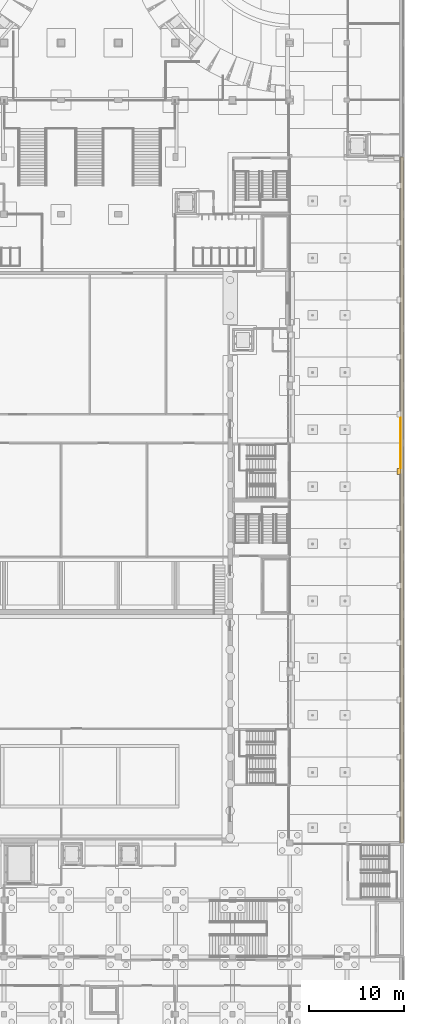
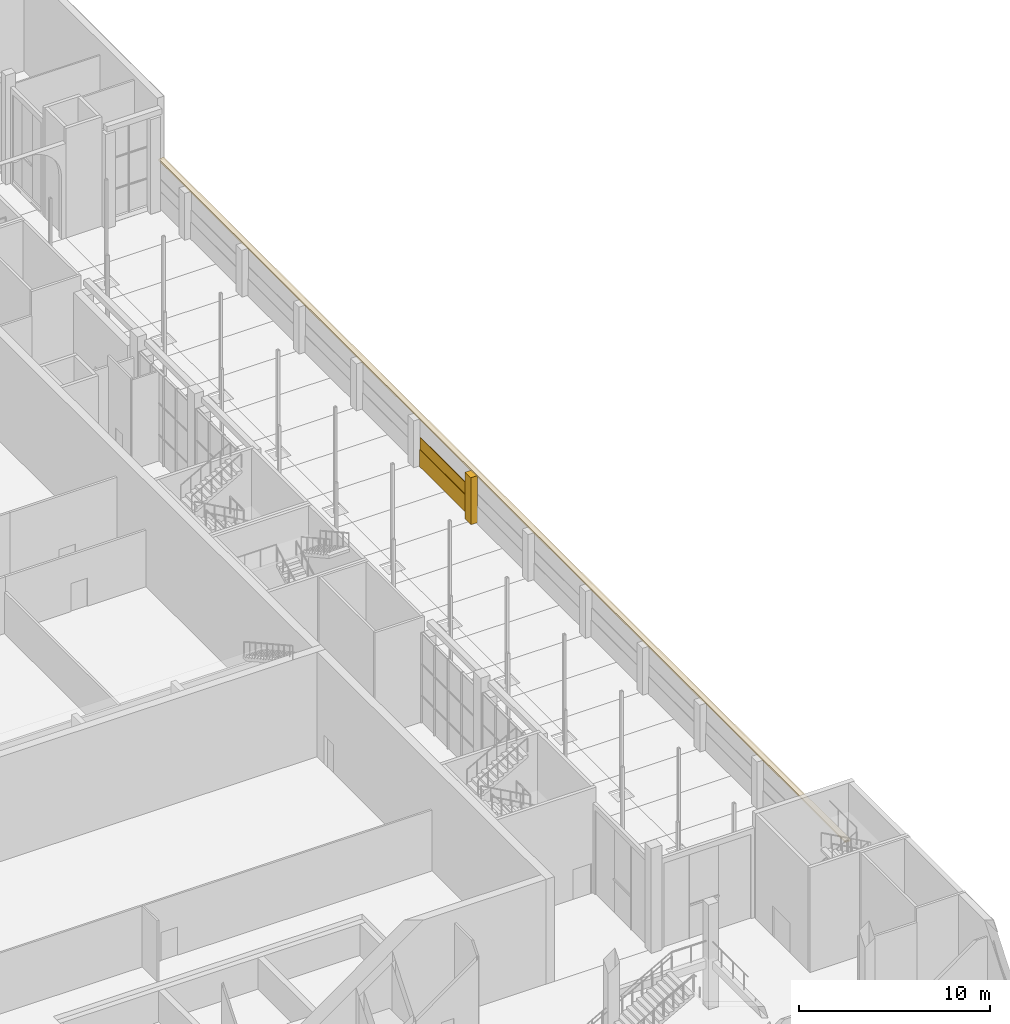
# One storey, part 91 of 95: 4 coverings.
"""IFC4 building model written with IfcOpenShell, lengths in metres."""

import ifcopenshell
import ifcopenshell.guid

model = None  # the IFC model being written
_history = None  # IfcOwnerHistory: only IFC2X3 demands one
_inside = {}  # id of a spatial element -> (the spatial element, [elements in it])
_under = {}  # id of a project, library or spatial element -> (it, [spatial elements below it])
_declared = {}  # id of a project -> (the project, [libraries it declares])
_typed = {}  # id of a type object -> (the type object, [elements of that type])
_made_of = {}  # id of a material, layer set ... -> (it, [elements and type objects made of it])


def new_model(schema):
    """Start an empty IFC model of exactly this schema.

    Asked for "IFC4X3", IfcOpenShell would pick the latest addendum, in which some entities
    have other attributes; the version numbers below select the first issue.
    IFC2X3 requires an IfcOwnerHistory on every rooted entity: one is made here for all.
    """
    global model, _history
    if schema == "IFC4X3":
        model = ifcopenshell.file(schema_version=(4, 3, 0, 0))
    else:
        model = ifcopenshell.file(schema=schema)
    _inside.clear()
    _under.clear()
    _declared.clear()
    _typed.clear()
    _made_of.clear()
    _history = None
    if model.schema == "IFC2X3":
        org = make("IfcOrganization", Name="unknown")
        user = make(
            "IfcPersonAndOrganization",
            ThePerson=make("IfcPerson", FamilyName="unknown"),
            TheOrganization=org,
        )
        app = make(
            "IfcApplication",
            ApplicationDeveloper=org,
            Version="unknown",
            ApplicationFullName="unknown",
            ApplicationIdentifier="unknown",
        )
        _history = make(
            "IfcOwnerHistory",
            OwningUser=user,
            OwningApplication=app,
            ChangeAction="ADDED",
            CreationDate=0,
        )
    return model


def make(cls, **values):
    """One entity of the class cls with the attributes given. An attribute that is None is left unset."""
    return model.create_entity(
        cls, **{name: value for name, value in values.items() if value is not None}
    )


def rooted(cls, **values):
    """An entity with a GlobalId (a new one), such as an element, a storey or a relation."""
    return make(cls, GlobalId=ifcopenshell.guid.new(), OwnerHistory=_history, **values)


def si_unit(unit_type, name, prefix=None):
    """IfcSIUnit, for example si_unit("LENGTHUNIT", "METRE", prefix="MILLI")."""
    return make("IfcSIUnit", UnitType=unit_type, Prefix=prefix, Name=name)


def assignment(units):
    """IfcUnitAssignment: the units of a project."""
    return None if units is None else make("IfcUnitAssignment", Units=units)


def point(xyz):
    """IfcCartesianPoint."""
    return None if xyz is None else make("IfcCartesianPoint", Coordinates=xyz)


def direction(xyz):
    """IfcDirection."""
    return None if xyz is None else make("IfcDirection", DirectionRatios=xyz)


def frame(location, z_axis=None, x_axis=None):
    """IfcAxis2Placement3D, a coordinate frame: its origin and axes. An axis left out is left unset."""
    return make(
        "IfcAxis2Placement3D",
        Location=point(location),
        Axis=direction(z_axis),
        RefDirection=direction(x_axis),
    )


def frame_2d(location, x_axis=None):
    """IfcAxis2Placement2D, a coordinate frame in the plane: its origin and x axis."""
    return make(
        "IfcAxis2Placement2D", Location=point(location), RefDirection=direction(x_axis)
    )


def origin():
    """The frame at (0, 0, 0) with its axes left unset."""
    return frame((0.0, 0.0, 0.0))


def origin_2d():
    """The frame at (0, 0) in the plane with its x axis left unset."""
    return frame_2d((0.0, 0.0))


def place(relative_to, where):
    """IfcLocalPlacement: puts the frame where relative to a parent placement (None: the world)."""
    return make(
        "IfcLocalPlacement", PlacementRelTo=relative_to, RelativePlacement=where
    )


def context(
    kind, dimensions, precision=None, world=None, true_north=None, identifier=None
):
    """IfcGeometricRepresentationContext, for example the 3D "Model" context."""
    return make(
        "IfcGeometricRepresentationContext",
        ContextIdentifier=identifier,
        ContextType=kind,
        CoordinateSpaceDimension=dimensions,
        Precision=precision,
        WorldCoordinateSystem=world,
        TrueNorth=true_north,
    )


def subcontext(parent, identifier, kind, view, scale=None):
    """IfcGeometricRepresentationSubContext, for example "Body" below "Model"."""
    return make(
        "IfcGeometricRepresentationSubContext",
        ContextIdentifier=identifier,
        ContextType=kind,
        ParentContext=parent,
        TargetScale=scale,
        TargetView=view,
    )


def project(units=None, contexts=None):
    """IfcProject with its units and contexts."""
    return rooted(
        "IfcProject",
        Name="project",
        RepresentationContexts=contexts,
        UnitsInContext=assignment(units),
    )


def spatial(cls, under=None, at=None, **own):
    """A site, building, storey or space (cls), placed at a placement, below another one or the project."""
    s = rooted(cls, ObjectPlacement=at, **own)
    if under is not None:
        _under.setdefault(under.id(), (under, []))[1].append(s)
    return s


def profile(cls, at=None, kind="AREA", **sizes):
    """A parametric profile (cls). Its sizes go by their IFC names, for example OverallWidth=200.0."""
    return make(cls, ProfileType=kind, Position=at, **sizes)


def rectangle(**sizes):
    """IfcRectangleProfileDef."""
    return profile("IfcRectangleProfileDef", **sizes)


def extrude(swept, where, along, depth):
    """IfcExtrudedAreaSolid: the profile swept, set in the frame where, extruded along a direction by depth."""
    return make(
        "IfcExtrudedAreaSolid",
        SweptArea=swept,
        Position=where,
        ExtrudedDirection=direction(along),
        Depth=depth,
    )


def shape(context_of_items, identifier, shape_type, items):
    """IfcShapeRepresentation: the items that make up one representation, for example the "Body"."""
    return make(
        "IfcShapeRepresentation",
        ContextOfItems=context_of_items,
        RepresentationIdentifier=identifier,
        RepresentationType=shape_type,
        Items=items,
    )


def material(Name=None, Category=None):
    """IfcMaterial."""
    return make("IfcMaterial", Name=Name, Category=Category)


def layer(
    of_material, thickness, ventilated=None, Name=None, Category=None, Priority=None
):
    """IfcMaterialLayer: one layer of a wall or slab, of a material (None: an air gap)."""
    return make(
        "IfcMaterialLayer",
        Material=of_material,
        LayerThickness=thickness,
        IsVentilated=ventilated,
        Name=Name,
        Category=Category,
        Priority=Priority,
    )


def layer_set(layers, Name=None):
    """IfcMaterialLayerSet."""
    return make("IfcMaterialLayerSet", MaterialLayers=layers, LayerSetName=Name)


def made_of(thing, what):
    """Note that an element or type object is made of a material, layer set ...; save() writes the relation."""
    if what is not None:
        _made_of.setdefault(what.id(), (what, []))[1].append(thing)
    return thing


def type_object(cls, material=None, **own):
    """A type object (cls), such as IfcWallType, which elements share."""
    return made_of(rooted(cls, **own), material)


def element(
    cls,
    number,
    at=None,
    inside=None,
    cuts=None,
    type_object=None,
    material=None,
    context=None,
    identifier="Body",
    shape_type=None,
    held_by="IfcProductDefinitionShape",
    body=None,
    shapes=None,
    **own,
):
    """One element of the class cls, such as IfcWall. Its Tag is "e" and its number.

    at: its placement. inside: the storey or other place that contains it. cuts: it is an
    opening in that element (IfcRelVoidsElement). A single representation is given by context,
    identifier, shape_type and body (its items); several are given by shapes. held_by: the class
    of the entity that holds the representations. save() writes the other relations.
    """
    e = rooted(cls, Tag="e%d" % number, ObjectPlacement=at, **own)
    if body is not None:
        shapes = [shape(context, identifier, shape_type, body)]
    if shapes is not None:
        e.Representation = make(held_by, Representations=shapes)
    if inside is not None:
        _inside.setdefault(inside.id(), (inside, []))[1].append(e)
    if cuts is not None:
        rooted(
            "IfcRelVoidsElement", RelatingBuildingElement=cuts, RelatedOpeningElement=e
        )
    if type_object is not None:
        _typed.setdefault(type_object.id(), (type_object, []))[1].append(e)
    return made_of(e, material)


def aggregate(whole, parts):
    """IfcRelAggregates: a whole, such as a stair, and the parts it consists of."""
    return rooted("IfcRelAggregates", RelatingObject=whole, RelatedObjects=parts)


def save(model, path):
    """Write the relations noted so far, then the file.

    IfcRelAggregates (storeys below a building ...), IfcRelContainedInSpatialStructure (elements
    in a storey), IfcRelDefinesByType, IfcRelAssociatesMaterial and IfcRelDeclares: one each for
    every whole, place, type object, material and project.
    """
    for whole, parts in _under.values():
        aggregate(whole, parts)
    for where, things in _inside.values():
        rooted(
            "IfcRelContainedInSpatialStructure",
            RelatedElements=things,
            RelatingStructure=where,
        )
    for kind, things in _typed.values():
        rooted("IfcRelDefinesByType", RelatedObjects=things, RelatingType=kind)
    for what, things in _made_of.values():
        rooted("IfcRelAssociatesMaterial", RelatedObjects=things, RelatingMaterial=what)
    for by, libraries in _declared.values():
        rooted("IfcRelDeclares", RelatingContext=by, RelatedDefinitions=libraries)
    model.write(path)


model = new_model("IFC4")

# Units and contexts
model_context = context("Model", 3, precision=1e-05, world=origin(), true_north=direction((0.0, 1.0)))
body_context = subcontext(model_context, "Body", "Model", "MODEL_VIEW")
ifc_project = project(units=[si_unit("LENGTHUNIT", "METRE"), si_unit("AREAUNIT", "SQUARE_METRE"), si_unit("VOLUMEUNIT", "CUBIC_METRE"), si_unit("PLANEANGLEUNIT", "RADIAN"), si_unit("MASSUNIT", "GRAM", prefix="KILO")], contexts=[model_context])

# Site, building, storey
site_placement = place(None, origin())
site = spatial("IfcSite", under=ifc_project, at=site_placement, CompositionType="ELEMENT")
building_placement = place(site_placement, origin())
building = spatial("IfcBuilding", under=site, at=building_placement, Name="Saffron Lane Theatres", CompositionType="ELEMENT")
storey_placement = place(building_placement, origin())
storey = spatial("IfcBuildingStorey", under=building, at=storey_placement, Name="L00", CompositionType="ELEMENT", Elevation=0.0)

# Coverings
ifc_material_1 = material(Name="Masonry sandstone", Category="masonry")
ifc_layer_1 = layer(ifc_material_1, 0.0400390625)
ifc_layer_set_1 = layer_set([ifc_layer_1], Name="Masonry sandstone")
covering_type_1 = type_object("IfcCoveringType", Name="EX-BANDING COURSE SANDSTONE 40", PredefinedType="CLADDING", material=ifc_layer_set_1)
covering_1_placement = place(storey_placement, frame((65.669921875, 72.0, 1.10009765625), z_axis=(0.0, 0.0, 1.0), x_axis=(0.0, 1.0, 0.0)))
element("IfcCovering", 1, at=covering_1_placement, inside=storey, type_object=covering_type_1, Name="Banding course L00", PredefinedType="CLADDING", context=body_context, shape_type="SweptSolid", body=[
    extrude(rectangle(XDim=5.300048828125, YDim=0.0400390625, at=origin_2d()), origin(), (0.0, 0.0, 1.0), 0.75),
])
ifc_material_2 = material(Name="Masonry sandstone", Category="masonry")
covering_type_2 = type_object("IfcCoveringType", Name="EX-BOUNDARY COPING SANDSTONE 100", PredefinedType="CLADDING", material=ifc_material_2)
covering_2_placement = place(storey_placement, frame((65.77490234375, 66.0, 3.0), z_axis=(0.0, 0.0, 1.0), x_axis=(0.0, 1.0, 0.0)))
element("IfcCovering", 2, at=covering_2_placement, inside=storey, type_object=covering_type_2, Name="Boundary wall coping L00", PredefinedType="CLADDING", context=body_context, shape_type="SweptSolid", body=[
    extrude(rectangle(XDim=72.0, YDim=0.330078125, at=origin_2d()), origin(), (0.0, 0.0, 1.0), 0.10009765625),
])
ifc_material_3 = material(Name="Masonry sandstone", Category="masonry")
ifc_layer_2 = layer(ifc_material_3, 0.39990234375)
ifc_layer_set_2 = layer_set([ifc_layer_2], Name="Masonry sandstone")
covering_type_3 = type_object("IfcCoveringType", Name="EX-BOUNDARY PILASTER SANDSTONE 400", PredefinedType="CLADDING", material=ifc_layer_set_2)
covering_3_placement = place(storey_placement, frame((65.489990234375, 69.0, 0.0), z_axis=(0.0, 0.0, 1.0), x_axis=(0.0, 1.0, 0.0)))
element("IfcCovering", 3, at=covering_3_placement, inside=storey, type_object=covering_type_3, Name="Boundary wall pilaster L00", PredefinedType="CLADDING", context=body_context, shape_type="SweptSolid", body=[
    extrude(rectangle(XDim=0.60009765625, YDim=0.39990234375, at=origin_2d()), origin(), (0.0, 0.0, 1.0), 3.0),
])
ifc_material_4 = material(Name="Masonry sandstone", Category="masonry")
ifc_layer_3 = layer(ifc_material_4, 0.070068359375)
ifc_layer_set_3 = layer_set([ifc_layer_3], Name="Masonry sandstone")
covering_type_4 = type_object("IfcCoveringType", Name="EX-PLINTH COURSE SANDSTONE 70", PredefinedType="CLADDING", material=ifc_layer_set_3)
covering_4_placement = place(storey_placement, frame((65.655029296875, 72.0, 0.0), z_axis=(0.0, 0.0, 1.0), x_axis=(0.0, 1.0, 0.0)))
element("IfcCovering", 4, at=covering_4_placement, inside=storey, type_object=covering_type_4, Name="Plinth course L00", PredefinedType="CLADDING", context=body_context, shape_type="SweptSolid", body=[
    extrude(rectangle(XDim=5.300048828125, YDim=0.070068359375, at=origin_2d()), origin(), (0.0, 0.0, 1.0), 1.10009765625),
])

save(model, "model.ifc")
